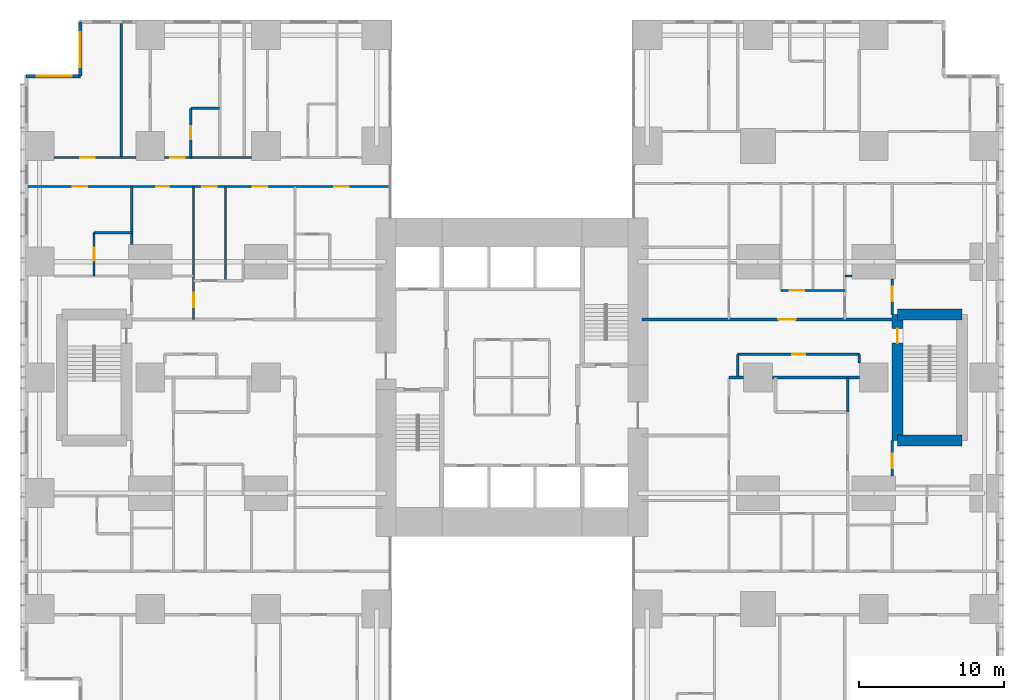
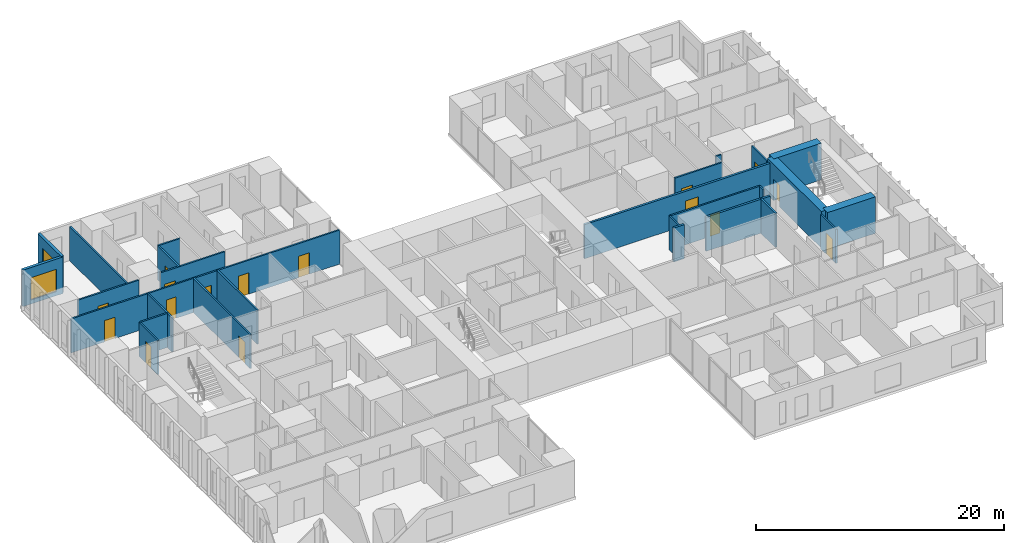
# One storey, part 16 of 20: 27 walls, 16 doors, 2 windows, 18 openings.
"""IFC4 building model written with IfcOpenShell, lengths in metres."""

from ifc_helpers import new_model, si_unit, direction, frame, frame_2d, origin, place, context, subcontext, project, spatial, rectangle, extrude, material, layer, layer_set, type_object, element, fill, save


model = new_model("IFC4")

# Units and contexts
model_context = context("Model", 3, precision=1e-05, world=origin(), true_north=direction((0.0, 1.0)))
body_context = subcontext(model_context, "Body", "Model", "MODEL_VIEW")
ifc_project = project(units=[si_unit("LENGTHUNIT", "METRE"), si_unit("AREAUNIT", "SQUARE_METRE"), si_unit("VOLUMEUNIT", "CUBIC_METRE"), si_unit("PLANEANGLEUNIT", "RADIAN"), si_unit("MASSUNIT", "GRAM", prefix="KILO")], contexts=[model_context])

# Site, building, storey
site_placement = place(None, origin())
site = spatial("IfcSite", under=ifc_project, at=site_placement, CompositionType="ELEMENT")
building_placement = place(site_placement, origin())
building = spatial("IfcBuilding", under=site, at=building_placement, Name="Cleftline Residences", CompositionType="ELEMENT")
storey_placement = place(building_placement, frame((0.0, 0.0, 110.60009765625)))
storey = spatial("IfcBuildingStorey", under=building, at=storey_placement, Name="L28", CompositionType="ELEMENT", Elevation=110.60009765625)

# Wall, opening, window
ifc_material_1 = material(Name="Rendered reinforced concrete blockwork", Category="masonry")
ifc_layer_1 = layer(ifc_material_1, 0.25)
ifc_layer_set_1 = layer_set([ifc_layer_1], Name="EXTERNAL WALL 250")
wall_type_1 = type_object("IfcWallType", Name="EXTERNAL WALL 250", PredefinedType="SOLIDWALL", material=ifc_layer_set_1)
wall_1_placement = place(storey_placement, frame((3.175048828125, 48.574951171875, 0.0), z_axis=(0.0, 0.0, 1.0), x_axis=(0.0, -1.0, 0.0)))
wall_1 = element("IfcWall", 1, at=wall_1_placement, inside=storey, type_object=wall_type_1, Name="External wall", PredefinedType="SOLIDWALL", context=body_context, shape_type="SweptSolid", body=[
    extrude(rectangle(XDim=3.75, YDim=0.25, at=frame_2d((1.875, 0.0))), origin(), (0.0, 0.0, 1.0), 3.599853515625),
])
opening_1_placement = place(wall_1_placement, frame((0.737548828125, 0.0, 0.39990234375)))
opening_1 = element("IfcOpeningElement", 2, at=opening_1_placement, cuts=wall_1, Name="Opening W12", PredefinedType="OPENING", context=body_context, shape_type="SweptSolid", body=[
    extrude(rectangle(XDim=2.39990234375, YDim=2.199951171875, at=frame_2d((1.199951171875, 1.10009765625))), frame((0.0, 0.135009765625, 0.0), z_axis=(0.0, -1.0, 0.0), x_axis=(1.0, 0.0, 0.0)), (0.0, 0.0, 1.0), 0.27001953125),
])
ifc_material_2 = material(Name="Aluminium frame, clear double glazing", Category="aluminium")
window_type = type_object("IfcWindowType", Name="WINDOW 2400X2200", PartitioningType="DOUBLE_PANEL_VERTICAL", PredefinedType="WINDOW", material=ifc_material_2)
window_1_placement = place(opening_1_placement, origin())
window_1 = element("IfcWindow", 3, at=window_1_placement, inside=storey, type_object=window_type, Name="Window", OverallHeight=2.199951171875, OverallWidth=2.39990234375, PartitioningType="SINGLE_PANEL", PredefinedType="WINDOW", context=body_context, shape_type="SweptSolid", body=[
    extrude(rectangle(XDim=2.39990234375, YDim=2.199951171875, at=frame_2d((1.199951171875, 1.10009765625))), frame((0.0, 0.030029296875, 0.0), z_axis=(0.0, -1.0, 0.0), x_axis=(1.0, 0.0, 0.0)), (0.0, 0.0, 1.0), 0.06005859375),
])
fill(opening_1, window_1)

wall_2_placement = place(storey_placement, frame((3.175048828125, 44.824951171875, 0.0), z_axis=(0.0, 0.0, 1.0), x_axis=(-1.0, 0.0, 0.0)))
wall_2 = element("IfcWall", 4, at=wall_2_placement, inside=storey, type_object=wall_type_1, Name="External wall", PredefinedType="SOLIDWALL", context=body_context, shape_type="SweptSolid", body=[
    extrude(rectangle(XDim=3.75, YDim=0.25, at=frame_2d((1.875, 0.0))), origin(), (0.0, 0.0, 1.0), 3.599853515625),
])
opening_2_placement = place(wall_2_placement, frame((0.612548828125, 0.0, 0.39990234375)))
opening_2 = element("IfcOpeningElement", 5, at=opening_2_placement, cuts=wall_2, Name="Opening W12", PredefinedType="OPENING", context=body_context, shape_type="SweptSolid", body=[
    extrude(rectangle(XDim=2.39990234375, YDim=2.199951171875, at=frame_2d((1.199951171875, 1.10009765625))), frame((0.0, 0.135009765625, 0.0), z_axis=(0.0, -1.0, 0.0), x_axis=(1.0, 0.0, 0.0)), (0.0, 0.0, 1.0), 0.27001953125),
])
window_2_placement = place(opening_2_placement, origin())
window_2 = element("IfcWindow", 6, at=window_2_placement, inside=storey, type_object=window_type, Name="Window", OverallHeight=2.199951171875, OverallWidth=2.39990234375, PartitioningType="SINGLE_PANEL", PredefinedType="WINDOW", context=body_context, shape_type="SweptSolid", body=[
    extrude(rectangle(XDim=2.39990234375, YDim=2.199951171875, at=frame_2d((1.199951171875, 1.10009765625))), frame((0.0, 0.030029296875, 0.0), z_axis=(0.0, -1.0, 0.0), x_axis=(1.0, 0.0, 0.0)), (0.0, 0.0, 1.0), 0.06005859375),
])
fill(opening_2, window_2)

# Walls
ifc_material_3 = material(Name="Concrete blockwork, fire rated", Category="masonry")
ifc_layer_2 = layer(ifc_material_3, 0.199951171875)
ifc_layer_set_2 = layer_set([ifc_layer_2], Name="FIRE WALL 200")
wall_type_2 = type_object("IfcWallType", Name="FIRE WALL 200", PredefinedType="PARTITIONING", material=ifc_layer_set_2)
wall_3_placement = place(storey_placement, frame((48.0, 24.0, 0.0), z_axis=(0.0, 0.0, 1.0), x_axis=(1.0, 0.0, 0.0)))
element("IfcWall", 7, at=wall_3_placement, inside=storey, type_object=wall_type_2, Name="Fire separating wall", PredefinedType="PARTITIONING", context=body_context, shape_type="SweptSolid", body=[
    extrude(rectangle(XDim=1.0, YDim=0.199951171875, at=frame_2d((0.5, 0.0))), origin(), (0.0, 0.0, 1.0), 3.349853515625),
])
wall_4_placement = place(storey_placement, frame((51.0, 24.0, 0.0), z_axis=(0.0, 0.0, 1.0), x_axis=(1.0, 0.0, 0.0)))
element("IfcWall", 8, at=wall_4_placement, inside=storey, type_object=wall_type_2, Name="Fire separating wall", PredefinedType="PARTITIONING", context=body_context, shape_type="SweptSolid", body=[
    extrude(rectangle(XDim=6.0, YDim=0.199951171875, at=frame_2d((3.0, 0.0))), origin(), (0.0, 0.0, 1.0), 3.349853515625),
])

# Wall, opening, door
wall_5_placement = place(storey_placement, frame((42.0, 28.0, 0.0), z_axis=(0.0, 0.0, 1.0), x_axis=(1.0, 0.0, 0.0)))
wall_5 = element("IfcWall", 9, at=wall_5_placement, inside=storey, type_object=wall_type_2, Name="Fire separating wall", PredefinedType="PARTITIONING", context=body_context, shape_type="SweptSolid", body=[
    extrude(rectangle(XDim=17.27490234375, YDim=0.199951171875, at=frame_2d((8.637451171875, 0.0))), origin(), (0.0, 0.0, 1.0), 3.349853515625),
])
opening_3_placement = place(wall_5_placement, frame((9.39990234375, 0.0, 0.0)))
opening_3 = element("IfcOpeningElement", 10, at=opening_3_placement, cuts=wall_5, Name="Opening D4", PredefinedType="OPENING", context=body_context, shape_type="SweptSolid", body=[
    extrude(rectangle(XDim=1.199951171875, YDim=2.39990234375, at=frame_2d((0.60009765625, 1.199951171875))), frame((0.0, 0.10986328125, 0.0), z_axis=(0.0, -1.0, 0.0), x_axis=(1.0, 0.0, 0.0)), (0.0, 0.0, 1.0), 0.219970703125),
])
ifc_material_4 = material(Name="Timber veneer on solid core", Category="wood")
door_type_1 = type_object("IfcDoorType", Name="APARTMENT ENTRANCE DOOR 1200X2400", OperationType="SINGLE_SWING_RIGHT", PredefinedType="DOOR", material=ifc_material_4)
door_1_placement = place(opening_3_placement, origin())
door_1 = element("IfcDoor", 11, at=door_1_placement, inside=storey, type_object=door_type_1, Name="Door to residence entrance foyer", OperationType="SINGLE_SWING_LEFT", OverallHeight=2.39990234375, OverallWidth=1.199951171875, PredefinedType="DOOR", context=body_context, shape_type="SweptSolid", body=[
    extrude(rectangle(XDim=1.199951171875, YDim=2.39990234375, at=frame_2d((0.60009765625, 1.199951171875))), frame((0.0, 0.02490234375, 0.0), z_axis=(0.0, -1.0, 0.0), x_axis=(1.0, 0.0, 0.0)), (0.0, 0.0, 1.0), 0.050048828125),
])
fill(opening_3, door_1)

# Wall
wall_6_placement = place(storey_placement, frame((56.199951171875, 21.60009765625, 0.0), z_axis=(0.0, 0.0, 1.0), x_axis=(0.0, 1.0, 0.0)))
element("IfcWall", 12, at=wall_6_placement, inside=storey, type_object=wall_type_2, Name="Fire separating wall", PredefinedType="PARTITIONING", context=body_context, shape_type="SweptSolid", body=[
    extrude(rectangle(XDim=2.39990234375, YDim=0.199951171875, at=frame_2d((1.199951171875, 0.0))), origin(), (0.0, 0.0, 1.0), 3.349853515625),
])

# Wall, opening, door
ifc_material_5 = material(Name="Gypsum board on steel studs", Category="steel")
ifc_layer_3 = layer(ifc_material_5, 0.14990234375)
ifc_layer_set_3 = layer_set([ifc_layer_3], Name="PARTITION 150")
wall_type_3 = type_object("IfcWallType", Name="PARTITION 150", PredefinedType="PARTITIONING", material=ifc_layer_set_3)
wall_7_placement = place(storey_placement, frame((48.60009765625, 25.60009765625, 0.0), z_axis=(0.0, 0.0, 1.0), x_axis=(1.0, 0.0, 0.0)))
wall_7 = element("IfcWall", 13, at=wall_7_placement, inside=storey, type_object=wall_type_3, Name="Partition", PredefinedType="PARTITIONING", context=body_context, shape_type="SweptSolid", body=[
    extrude(rectangle(XDim=8.39990234375, YDim=0.14990234375, at=frame_2d((4.199951171875, 0.0))), origin(), (0.0, 0.0, 1.0), 3.349853515625),
])
opening_4_placement = place(wall_7_placement, frame((3.75, 0.0, 0.0)))
opening_4 = element("IfcOpeningElement", 14, at=opening_4_placement, cuts=wall_7, Name="Opening D1", PredefinedType="OPENING", context=body_context, shape_type="SweptSolid", body=[
    extrude(rectangle(XDim=0.89990234375, YDim=2.10009765625, at=frame_2d((0.449951171875, 1.050048828125))), frame((0.0, 0.0849609375, 0.0), z_axis=(0.0, -1.0, 0.0), x_axis=(1.0, 0.0, 0.0)), (0.0, 0.0, 1.0), 0.169921875),
])
ifc_material_6 = material(Name="Timber veneer on solid core", Category="wood")
door_type_2 = type_object("IfcDoorType", Name="DOOR 900X2100", OperationType="SINGLE_SWING_LEFT", PredefinedType="DOOR", material=ifc_material_6)
door_2_placement = place(opening_4_placement, origin())
door_2 = element("IfcDoor", 15, at=door_2_placement, inside=storey, type_object=door_type_2, Name="Door to residents' locker room", OperationType="SINGLE_SWING_LEFT", OverallHeight=2.10009765625, OverallWidth=0.89990234375, PredefinedType="DOOR", context=body_context, shape_type="SweptSolid", body=[
    extrude(rectangle(XDim=0.89990234375, YDim=2.10009765625, at=frame_2d((0.449951171875, 1.050048828125))), frame((0.0, 0.02490234375, 0.0), z_axis=(0.0, -1.0, 0.0), x_axis=(1.0, 0.0, 0.0)), (0.0, 0.0, 1.0), 0.050048828125),
])
fill(opening_4, door_2)

wall_8_placement = place(storey_placement, frame((51.60009765625, 30.0, 0.0), z_axis=(0.0, 0.0, 1.0), x_axis=(1.0, 0.0, 0.0)))
wall_8 = element("IfcWall", 16, at=wall_8_placement, inside=storey, type_object=wall_type_3, Name="Partition", PredefinedType="PARTITIONING", context=body_context, shape_type="SweptSolid", body=[
    extrude(rectangle(XDim=4.39990234375, YDim=0.14990234375, at=frame_2d((2.199951171875, 0.0))), origin(), (0.0, 0.0, 1.0), 3.349853515625),
])
opening_5_placement = place(wall_8_placement, frame((0.60009765625, 0.0, 0.0)))
opening_5 = element("IfcOpeningElement", 17, at=opening_5_placement, cuts=wall_8, Name="Opening D2", PredefinedType="OPENING", context=body_context, shape_type="SweptSolid", body=[
    extrude(rectangle(XDim=1.0, YDim=2.10009765625, at=frame_2d((0.5, 1.050048828125))), frame((0.0, 0.0849609375, 0.0), z_axis=(0.0, -1.0, 0.0), x_axis=(1.0, 0.0, 0.0)), (0.0, 0.0, 1.0), 0.169921875),
])
ifc_material_7 = material(Name="Timber veneer on solid core", Category="wood")
door_type_3 = type_object("IfcDoorType", Name="DOOR 1000X2100", OperationType="SINGLE_SWING_LEFT", PredefinedType="DOOR", material=ifc_material_7)
door_3_placement = place(opening_5_placement, origin())
door_3 = element("IfcDoor", 18, at=door_3_placement, inside=storey, type_object=door_type_3, Name="Door to residence passage", OperationType="SINGLE_SWING_RIGHT", OverallHeight=2.10009765625, OverallWidth=1.0, PredefinedType="DOOR", context=body_context, shape_type="SweptSolid", body=[
    extrude(rectangle(XDim=1.0, YDim=2.10009765625, at=frame_2d((0.5, 1.050048828125))), frame((0.0, 0.02490234375, 0.0), z_axis=(0.0, -1.0, 0.0), x_axis=(1.0, 0.0, 0.0)), (0.0, 0.0, 1.0), 0.050048828125),
])
fill(opening_5, door_3)

# Walls
wall_9_placement = place(storey_placement, frame((56.0, 31.0, 0.0), z_axis=(0.0, 0.0, 1.0), x_axis=(1.0, 0.0, 0.0)))
element("IfcWall", 19, at=wall_9_placement, inside=storey, type_object=wall_type_3, Name="Partition", PredefinedType="PARTITIONING", context=body_context, shape_type="SweptSolid", body=[
    extrude(rectangle(XDim=0.5, YDim=0.14990234375, at=frame_2d((0.25, 0.0))), origin(), (0.0, 0.0, 1.0), 3.349853515625),
])
wall_10_placement = place(storey_placement, frame((4.125, 34.0, 0.0), z_axis=(0.0, 0.0, 1.0), x_axis=(1.0, 0.0, 0.0)))
element("IfcWall", 20, at=wall_10_placement, inside=storey, type_object=wall_type_3, Name="Partition", PredefinedType="PARTITIONING", context=body_context, shape_type="SweptSolid", body=[
    extrude(rectangle(XDim=2.60009765625, YDim=0.14990234375, at=frame_2d((1.300048828125, 0.0))), origin(), (0.0, 0.0, 1.0), 3.349853515625),
])

# Wall, openings, doors
wall_11_placement = place(storey_placement, frame((-0.449951171875, 37.199951171875, 0.0), z_axis=(0.0, 0.0, 1.0), x_axis=(1.0, 0.0, 0.0)))
wall_11 = element("IfcWall", 21, at=wall_11_placement, inside=storey, type_object=wall_type_3, Name="Partition", PredefinedType="PARTITIONING", context=body_context, shape_type="SweptSolid", body=[
    extrude(rectangle(XDim=25.010986328125, YDim=0.14990234375, at=frame_2d((12.50537109375, 0.0))), origin(), (0.0, 0.0, 1.0), 3.349853515625),
])
opening_6_placement = place(wall_11_placement, frame((12.050048828125, 0.0, 0.0)))
opening_6 = element("IfcOpeningElement", 22, at=opening_6_placement, cuts=wall_11, Name="Opening D2F30", PredefinedType="OPENING", context=body_context, shape_type="SweptSolid", body=[
    extrude(rectangle(XDim=1.0, YDim=2.10009765625, at=frame_2d((0.5, 1.050048828125))), frame((0.0, 0.0849609375, 0.0), z_axis=(0.0, -1.0, 0.0), x_axis=(1.0, 0.0, 0.0)), (0.0, 0.0, 1.0), 0.169921875),
])
opening_7_placement = place(wall_11_placement, frame((3.08740234375, 0.0, 0.0)))
opening_7 = element("IfcOpeningElement", 23, at=opening_7_placement, cuts=wall_11, Name="Opening D2F30", PredefinedType="OPENING", context=body_context, shape_type="SweptSolid", body=[
    extrude(rectangle(XDim=1.0, YDim=2.10009765625, at=frame_2d((0.5, 1.050048828125))), frame((0.0, 0.0849609375, 0.0), z_axis=(0.0, -1.0, 0.0), x_axis=(1.0, 0.0, 0.0)), (0.0, 0.0, 1.0), 0.169921875),
])
opening_8_placement = place(wall_11_placement, frame((8.862548828125, 0.0, 0.0)))
opening_8 = element("IfcOpeningElement", 24, at=opening_8_placement, cuts=wall_11, Name="Opening D1F30", PredefinedType="OPENING", context=body_context, shape_type="SweptSolid", body=[
    extrude(rectangle(XDim=0.89990234375, YDim=2.10009765625, at=frame_2d((0.449951171875, 1.050048828125))), frame((0.0, 0.0849609375, 0.0), z_axis=(0.0, -1.0, 0.0), x_axis=(1.0, 0.0, 0.0)), (0.0, 0.0, 1.0), 0.169921875),
])
opening_9_placement = place(wall_11_placement, frame((15.550048828125, 0.0, 0.0)))
opening_9 = element("IfcOpeningElement", 25, at=opening_9_placement, cuts=wall_11, Name="Opening D2F30", PredefinedType="OPENING", context=body_context, shape_type="SweptSolid", body=[
    extrude(rectangle(XDim=1.0, YDim=2.10009765625, at=frame_2d((0.5, 1.050048828125))), frame((0.0, 0.0849609375, 0.0), z_axis=(0.0, -1.0, 0.0), x_axis=(1.0, 0.0, 0.0)), (0.0, 0.0, 1.0), 0.169921875),
])
opening_10_placement = place(wall_11_placement, frame((21.175048828125, 0.0, 0.0)))
opening_10 = element("IfcOpeningElement", 26, at=opening_10_placement, cuts=wall_11, Name="Opening D2F30", PredefinedType="OPENING", context=body_context, shape_type="SweptSolid", body=[
    extrude(rectangle(XDim=1.0, YDim=2.10009765625, at=frame_2d((0.5, 1.050048828125))), frame((0.0, 0.0849609375, 0.0), z_axis=(0.0, -1.0, 0.0), x_axis=(1.0, 0.0, 0.0)), (0.0, 0.0, 1.0), 0.169921875),
])
ifc_material_8 = material(Name="Timber veneer on solid core", Category="wood")
door_type_4 = type_object("IfcDoorType", Name="DOOR 1000X2100 EI 30", OperationType="SINGLE_SWING_LEFT", PredefinedType="DOOR", material=ifc_material_8)
door_4_placement = place(opening_6_placement, origin())
door_4 = element("IfcDoor", 27, at=door_4_placement, inside=storey, type_object=door_type_4, Name="Door to residence corridor (bedrooms)", OperationType="SINGLE_SWING_LEFT", OverallHeight=2.10009765625, OverallWidth=1.0, PredefinedType="DOOR", context=body_context, shape_type="SweptSolid", body=[
    extrude(rectangle(XDim=1.0, YDim=2.10009765625, at=frame_2d((0.5, 1.050048828125))), frame((0.0, 0.02490234375, 0.0), z_axis=(0.0, -1.0, 0.0), x_axis=(1.0, 0.0, 0.0)), (0.0, 0.0, 1.0), 0.050048828125),
])
fill(opening_6, door_4)
door_5_placement = place(opening_7_placement, origin())
door_5 = element("IfcDoor", 28, at=door_5_placement, inside=storey, type_object=door_type_4, Name="Door to master bedroom", OperationType="SINGLE_SWING_RIGHT", OverallHeight=2.10009765625, OverallWidth=1.0, PredefinedType="DOOR", context=body_context, shape_type="SweptSolid", body=[
    extrude(rectangle(XDim=1.0, YDim=2.10009765625, at=frame_2d((0.5, 1.050048828125))), frame((0.0, 0.02490234375, 0.0), z_axis=(0.0, -1.0, 0.0), x_axis=(1.0, 0.0, 0.0)), (0.0, 0.0, 1.0), 0.050048828125),
])
fill(opening_7, door_5)
door_6_placement = place(opening_9_placement, origin())
door_6 = element("IfcDoor", 29, at=door_6_placement, inside=storey, type_object=door_type_4, Name="Door to family room", OperationType="SINGLE_SWING_LEFT", OverallHeight=2.10009765625, OverallWidth=1.0, PredefinedType="DOOR", context=body_context, shape_type="SweptSolid", body=[
    extrude(rectangle(XDim=1.0, YDim=2.10009765625, at=frame_2d((0.5, 1.050048828125))), frame((0.0, 0.02490234375, 0.0), z_axis=(0.0, -1.0, 0.0), x_axis=(1.0, 0.0, 0.0)), (0.0, 0.0, 1.0), 0.050048828125),
])
fill(opening_9, door_6)
door_7_placement = place(opening_10_placement, origin())
door_7 = element("IfcDoor", 30, at=door_7_placement, inside=storey, type_object=door_type_4, Name="Door to staff bedroom", OperationType="SINGLE_SWING_LEFT", OverallHeight=2.10009765625, OverallWidth=1.0, PredefinedType="DOOR", context=body_context, shape_type="SweptSolid", body=[
    extrude(rectangle(XDim=1.0, YDim=2.10009765625, at=frame_2d((0.5, 1.050048828125))), frame((0.0, 0.02490234375, 0.0), z_axis=(0.0, -1.0, 0.0), x_axis=(1.0, 0.0, 0.0)), (0.0, 0.0, 1.0), 0.050048828125),
])
fill(opening_10, door_7)
ifc_material_9 = material(Name="Timber veneer on solid core", Category="wood")
door_type_5 = type_object("IfcDoorType", Name="DOOR 900X2100 EI 30", OperationType="SINGLE_SWING_LEFT", PredefinedType="DOOR", material=ifc_material_9)
door_8_placement = place(opening_8_placement, origin())
door_8 = element("IfcDoor", 31, at=door_8_placement, inside=storey, type_object=door_type_5, Name="Door to guest bathroom", OperationType="SINGLE_SWING_RIGHT", OverallHeight=2.10009765625, OverallWidth=0.89990234375, PredefinedType="DOOR", context=body_context, shape_type="SweptSolid", body=[
    extrude(rectangle(XDim=0.89990234375, YDim=2.10009765625, at=frame_2d((0.449951171875, 1.050048828125))), frame((0.0, 0.02490234375, 0.0), z_axis=(0.0, -1.0, 0.0), x_axis=(1.0, 0.0, 0.0)), (0.0, 0.0, 1.0), 0.050048828125),
])
fill(opening_8, door_8)

# Wall, opening, door
wall_12_placement = place(storey_placement, frame((1.35009765625, 39.199951171875, 0.0), z_axis=(0.0, 0.0, 1.0), x_axis=(1.0, 0.0, 0.0)))
wall_12 = element("IfcWall", 32, at=wall_12_placement, inside=storey, type_object=wall_type_3, Name="Partition", PredefinedType="PARTITIONING", context=body_context, shape_type="SweptSolid", body=[
    extrude(rectangle(XDim=5.64990234375, YDim=0.14990234375, at=frame_2d((2.824951171875, 0.0))), origin(), (0.0, 0.0, 1.0), 3.349853515625),
])
opening_11_placement = place(wall_12_placement, frame((1.824951171875, 0.0, 0.0)))
opening_11 = element("IfcOpeningElement", 33, at=opening_11_placement, cuts=wall_12, Name="Opening D2", PredefinedType="OPENING", context=body_context, shape_type="SweptSolid", body=[
    extrude(rectangle(XDim=1.0, YDim=2.10009765625, at=frame_2d((0.5, 1.050048828125))), frame((0.0, 0.0849609375, 0.0), z_axis=(0.0, -1.0, 0.0), x_axis=(1.0, 0.0, 0.0)), (0.0, 0.0, 1.0), 0.169921875),
])
door_9_placement = place(opening_11_placement, origin())
door_9 = element("IfcDoor", 34, at=door_9_placement, inside=storey, type_object=door_type_3, Name="Door to gym", OperationType="SINGLE_SWING_RIGHT", OverallHeight=2.10009765625, OverallWidth=1.0, PredefinedType="DOOR", context=body_context, shape_type="SweptSolid", body=[
    extrude(rectangle(XDim=1.0, YDim=2.10009765625, at=frame_2d((0.5, 1.050048828125))), frame((0.0, 0.02490234375, 0.0), z_axis=(0.0, -1.0, 0.0), x_axis=(1.0, 0.0, 0.0)), (0.0, 0.0, 1.0), 0.050048828125),
])
fill(opening_11, door_9)

wall_13_placement = place(storey_placement, frame((9.0, 39.199951171875, 0.0), z_axis=(0.0, 0.0, 1.0), x_axis=(1.0, 0.0, 0.0)))
wall_13 = element("IfcWall", 35, at=wall_13_placement, inside=storey, type_object=wall_type_3, Name="Partition", PredefinedType="PARTITIONING", context=body_context, shape_type="SweptSolid", body=[
    extrude(rectangle(XDim=6.0, YDim=0.14990234375, at=frame_2d((3.0, 0.0))), origin(), (0.0, 0.0, 1.0), 3.349853515625),
])
opening_12_placement = place(wall_13_placement, frame((0.39990234375, 0.0, 0.0)))
opening_12 = element("IfcOpeningElement", 36, at=opening_12_placement, cuts=wall_13, Name="Opening D2", PredefinedType="OPENING", context=body_context, shape_type="SweptSolid", body=[
    extrude(rectangle(XDim=1.0, YDim=2.10009765625, at=frame_2d((0.5, 1.050048828125))), frame((0.0, 0.0849609375, 0.0), z_axis=(0.0, -1.0, 0.0), x_axis=(1.0, 0.0, 0.0)), (0.0, 0.0, 1.0), 0.169921875),
])
door_10_placement = place(opening_12_placement, origin())
door_10 = element("IfcDoor", 37, at=door_10_placement, inside=storey, type_object=door_type_3, Name="Door to bedroom 2", OperationType="SINGLE_SWING_RIGHT", OverallHeight=2.10009765625, OverallWidth=1.0, PredefinedType="DOOR", context=body_context, shape_type="SweptSolid", body=[
    extrude(rectangle(XDim=1.0, YDim=2.10009765625, at=frame_2d((0.5, 1.050048828125))), frame((0.0, 0.02490234375, 0.0), z_axis=(0.0, -1.0, 0.0), x_axis=(1.0, 0.0, 0.0)), (0.0, 0.0, 1.0), 0.050048828125),
])
fill(opening_12, door_10)

# Wall
wall_14_placement = place(storey_placement, frame((10.800048828125, 42.60009765625, 0.0), z_axis=(0.0, 0.0, 1.0), x_axis=(1.0, 0.0, 0.0)))
element("IfcWall", 38, at=wall_14_placement, inside=storey, type_object=wall_type_3, Name="Partition", PredefinedType="PARTITIONING", context=body_context, shape_type="SweptSolid", body=[
    extrude(rectangle(XDim=2.0, YDim=0.14990234375, at=frame_2d((1.0, 0.0))), origin(), (0.0, 0.0, 1.0), 3.349853515625),
])

# Wall, opening, door
wall_15_placement = place(storey_placement, frame((4.125, 31.0, 0.0), z_axis=(0.0, 0.0, 1.0), x_axis=(0.0, 1.0, 0.0)))
wall_15 = element("IfcWall", 39, at=wall_15_placement, inside=storey, type_object=wall_type_3, Name="Partition", PredefinedType="PARTITIONING", context=body_context, shape_type="SweptSolid", body=[
    extrude(rectangle(XDim=3.0, YDim=0.14990234375, at=frame_2d((1.5, 0.0))), origin(), (0.0, 0.0, 1.0), 3.349853515625),
])
opening_13_placement = place(wall_15_placement, frame((1.050048828125, 0.0, 0.0)))
opening_13 = element("IfcOpeningElement", 40, at=opening_13_placement, cuts=wall_15, Name="Opening D1", PredefinedType="OPENING", context=body_context, shape_type="SweptSolid", body=[
    extrude(rectangle(XDim=0.89990234375, YDim=2.10009765625, at=frame_2d((0.449951171875, 1.050048828125))), frame((0.0, 0.0849609375, 0.0), z_axis=(0.0, -1.0, 0.0), x_axis=(1.0, 0.0, 0.0)), (0.0, 0.0, 1.0), 0.169921875),
])
door_11_placement = place(opening_13_placement, origin())
door_11 = element("IfcDoor", 41, at=door_11_placement, inside=storey, type_object=door_type_2, Name="Door to master bathroom", OperationType="SINGLE_SWING_LEFT", OverallHeight=2.10009765625, OverallWidth=0.89990234375, PredefinedType="DOOR", context=body_context, shape_type="SweptSolid", body=[
    extrude(rectangle(XDim=0.89990234375, YDim=2.10009765625, at=frame_2d((0.449951171875, 1.050048828125))), frame((0.0, 0.02490234375, 0.0), z_axis=(0.0, -1.0, 0.0), x_axis=(1.0, 0.0, 0.0)), (0.0, 0.0, 1.0), 0.050048828125),
])
fill(opening_13, door_11)

# Walls
wall_16_placement = place(storey_placement, frame((6.0, 39.199951171875, 0.0), z_axis=(0.0, 0.0, 1.0), x_axis=(0.0, 1.0, 0.0)))
element("IfcWall", 42, at=wall_16_placement, inside=storey, type_object=wall_type_3, Name="Partition", PredefinedType="PARTITIONING", context=body_context, shape_type="SweptSolid", body=[
    extrude(rectangle(XDim=9.25, YDim=0.14990234375, at=frame_2d((4.625, 0.0))), origin(), (0.0, 0.0, 1.0), 3.349853515625),
])
wall_17_placement = place(storey_placement, frame((6.72509765625, 33.199951171875, 0.0), z_axis=(0.0, 0.0, 1.0), x_axis=(0.0, 1.0, 0.0)))
element("IfcWall", 43, at=wall_17_placement, inside=storey, type_object=wall_type_3, Name="Partition", PredefinedType="PARTITIONING", context=body_context, shape_type="SweptSolid", body=[
    extrude(rectangle(XDim=4.0, YDim=0.14990234375, at=frame_2d((2.0, 0.0))), origin(), (0.0, 0.0, 1.0), 3.349853515625),
])

# Wall, opening, door
wall_18_placement = place(storey_placement, frame((10.800048828125, 39.199951171875, 0.0), z_axis=(0.0, 0.0, 1.0), x_axis=(0.0, 1.0, 0.0)))
wall_18 = element("IfcWall", 44, at=wall_18_placement, inside=storey, type_object=wall_type_3, Name="Partition", PredefinedType="PARTITIONING", context=body_context, shape_type="SweptSolid", body=[
    extrude(rectangle(XDim=3.400146484375, YDim=0.14990234375, at=frame_2d((1.7001953125, 0.0))), origin(), (0.0, 0.0, 1.0), 3.349853515625),
])
opening_14_placement = place(wall_18_placement, frame((1.25, 0.0, 0.0)))
opening_14 = element("IfcOpeningElement", 45, at=opening_14_placement, cuts=wall_18, Name="Opening D1", PredefinedType="OPENING", context=body_context, shape_type="SweptSolid", body=[
    extrude(rectangle(XDim=0.89990234375, YDim=2.10009765625, at=frame_2d((0.449951171875, 1.050048828125))), frame((0.0, 0.0849609375, 0.0), z_axis=(0.0, -1.0, 0.0), x_axis=(1.0, 0.0, 0.0)), (0.0, 0.0, 1.0), 0.169921875),
])
door_12_placement = place(opening_14_placement, origin())
door_12 = element("IfcDoor", 46, at=door_12_placement, inside=storey, type_object=door_type_2, Name="Door to en-suite bathroom 2", OperationType="SINGLE_SWING_LEFT", OverallHeight=2.10009765625, OverallWidth=0.89990234375, PredefinedType="DOOR", context=body_context, shape_type="SweptSolid", body=[
    extrude(rectangle(XDim=0.89990234375, YDim=2.10009765625, at=frame_2d((0.449951171875, 1.050048828125))), frame((0.0, 0.02490234375, 0.0), z_axis=(0.0, -1.0, 0.0), x_axis=(1.0, 0.0, 0.0)), (0.0, 0.0, 1.0), 0.050048828125),
])
fill(opening_14, door_12)

wall_19_placement = place(storey_placement, frame((11.0, 28.0, 0.0), z_axis=(0.0, 0.0, 1.0), x_axis=(0.0, 1.0, 0.0)))
wall_19 = element("IfcWall", 47, at=wall_19_placement, inside=storey, type_object=wall_type_3, Name="Partition", PredefinedType="PARTITIONING", context=body_context, shape_type="SweptSolid", body=[
    extrude(rectangle(XDim=9.199951171875, YDim=0.14990234375, at=frame_2d((4.60009765625, 0.0))), origin(), (0.0, 0.0, 1.0), 3.349853515625),
])
opening_15_placement = place(wall_19_placement, frame((0.83740234375, 0.0, 0.0)))
opening_15 = element("IfcOpeningElement", 48, at=opening_15_placement, cuts=wall_19, Name="Opening D2F30", PredefinedType="OPENING", context=body_context, shape_type="SweptSolid", body=[
    extrude(rectangle(XDim=1.0, YDim=2.10009765625, at=frame_2d((0.5, 1.050048828125))), frame((0.0, 0.0849609375, 0.0), z_axis=(0.0, -1.0, 0.0), x_axis=(1.0, 0.0, 0.0)), (0.0, 0.0, 1.0), 0.169921875),
])
door_13_placement = place(opening_15_placement, origin())
door_13 = element("IfcDoor", 49, at=door_13_placement, inside=storey, type_object=door_type_4, Name="Door to residence lobby (service)", OperationType="SINGLE_SWING_RIGHT", OverallHeight=2.10009765625, OverallWidth=1.0, PredefinedType="DOOR", context=body_context, shape_type="SweptSolid", body=[
    extrude(rectangle(XDim=1.0, YDim=2.10009765625, at=frame_2d((0.5, 1.050048828125))), frame((0.0, 0.02490234375, 0.0), z_axis=(0.0, -1.0, 0.0), x_axis=(1.0, 0.0, 0.0)), (0.0, 0.0, 1.0), 0.050048828125),
])
fill(opening_15, door_13)

# Walls
wall_20_placement = place(storey_placement, frame((13.199951171875, 30.675048828125, 0.0), z_axis=(0.0, 0.0, 1.0), x_axis=(0.0, 1.0, 0.0)))
element("IfcWall", 50, at=wall_20_placement, inside=storey, type_object=wall_type_3, Name="Partition", PredefinedType="PARTITIONING", context=body_context, shape_type="SweptSolid", body=[
    extrude(rectangle(XDim=6.52490234375, YDim=0.14990234375, at=frame_2d((3.262451171875, 0.0))), origin(), (0.0, 0.0, 1.0), 3.349853515625),
])
wall_21_placement = place(storey_placement, frame((48.60009765625, 24.0, 0.0), z_axis=(0.0, 0.0, 1.0), x_axis=(0.0, 1.0, 0.0)))
element("IfcWall", 51, at=wall_21_placement, inside=storey, type_object=wall_type_3, Name="Partition", PredefinedType="PARTITIONING", context=body_context, shape_type="SweptSolid", body=[
    extrude(rectangle(XDim=1.60009765625, YDim=0.14990234375, at=frame_2d((0.800048828125, 0.0))), origin(), (0.0, 0.0, 1.0), 3.349853515625),
])
wall_22_placement = place(storey_placement, frame((57.0, 25.0, 0.0), z_axis=(0.0, 0.0, 1.0), x_axis=(0.0, 1.0, 0.0)))
element("IfcWall", 52, at=wall_22_placement, inside=storey, type_object=wall_type_3, Name="Partition", PredefinedType="PARTITIONING", context=body_context, shape_type="SweptSolid", body=[
    extrude(rectangle(XDim=0.60009765625, YDim=0.14990234375, at=frame_2d((0.300048828125, 0.0))), origin(), (0.0, 0.0, 1.0), 3.349853515625),
])

# Wall, opening, door
wall_23_placement = place(storey_placement, frame((59.27490234375, 17.199951171875, 0.0), z_axis=(0.0, 0.0, 1.0), x_axis=(0.0, 1.0, 0.0)))
wall_23 = element("IfcWall", 53, at=wall_23_placement, inside=storey, type_object=wall_type_3, Name="Partition", PredefinedType="PARTITIONING", context=body_context, shape_type="SweptSolid", body=[
    extrude(rectangle(XDim=2.449951171875, YDim=0.14990234375, at=frame_2d((1.22509765625, 0.0))), origin(), (0.0, 0.0, 1.0), 3.349853515625),
])
opening_16_placement = place(wall_23_placement, frame((0.53759765625, 0.0, 0.0)))
opening_16 = element("IfcOpeningElement", 54, at=opening_16_placement, cuts=wall_23, Name="Opening D2", PredefinedType="OPENING", context=body_context, shape_type="SweptSolid", body=[
    extrude(rectangle(XDim=1.0, YDim=2.10009765625, at=frame_2d((0.5, 1.050048828125))), frame((0.0, 0.0849609375, 0.0), z_axis=(0.0, -1.0, 0.0), x_axis=(1.0, 0.0, 0.0)), (0.0, 0.0, 1.0), 0.169921875),
])
door_14_placement = place(opening_16_placement, origin())
door_14 = element("IfcDoor", 55, at=door_14_placement, inside=storey, type_object=door_type_3, Name="Door to bedroom 2", OperationType="SINGLE_SWING_RIGHT", OverallHeight=2.10009765625, OverallWidth=1.0, PredefinedType="DOOR", context=body_context, shape_type="SweptSolid", body=[
    extrude(rectangle(XDim=1.0, YDim=2.10009765625, at=frame_2d((0.5, 1.050048828125))), frame((0.0, 0.02490234375, 0.0), z_axis=(0.0, -1.0, 0.0), x_axis=(1.0, 0.0, 0.0)), (0.0, 0.0, 1.0), 0.050048828125),
])
fill(opening_16, door_14)

wall_24_placement = place(storey_placement, frame((59.27490234375, 28.35009765625, 0.0), z_axis=(0.0, 0.0, 1.0), x_axis=(0.0, 1.0, 0.0)))
wall_24 = element("IfcWall", 56, at=wall_24_placement, inside=storey, type_object=wall_type_3, Name="Partition", PredefinedType="PARTITIONING", context=body_context, shape_type="SweptSolid", body=[
    extrude(rectangle(XDim=2.449951171875, YDim=0.14990234375, at=frame_2d((1.22509765625, 0.0))), origin(), (0.0, 0.0, 1.0), 3.349853515625),
])
opening_17_placement = place(wall_24_placement, frame((0.91259765625, 0.0, 0.0)))
opening_17 = element("IfcOpeningElement", 57, at=opening_17_placement, cuts=wall_24, Name="Opening D2", PredefinedType="OPENING", context=body_context, shape_type="SweptSolid", body=[
    extrude(rectangle(XDim=1.0, YDim=2.10009765625, at=frame_2d((0.5, 1.050048828125))), frame((0.0, 0.0849609375, 0.0), z_axis=(0.0, -1.0, 0.0), x_axis=(1.0, 0.0, 0.0)), (0.0, 0.0, 1.0), 0.169921875),
])
door_15_placement = place(opening_17_placement, origin())
door_15 = element("IfcDoor", 58, at=door_15_placement, inside=storey, type_object=door_type_3, Name="Door to sea-view dining room", OperationType="SINGLE_SWING_LEFT", OverallHeight=2.10009765625, OverallWidth=1.0, PredefinedType="DOOR", context=body_context, shape_type="SweptSolid", body=[
    extrude(rectangle(XDim=1.0, YDim=2.10009765625, at=frame_2d((0.5, 1.050048828125))), frame((0.0, 0.02490234375, 0.0), z_axis=(0.0, -1.0, 0.0), x_axis=(1.0, 0.0, 0.0)), (0.0, 0.0, 1.0), 0.050048828125),
])
fill(opening_17, door_15)

# Walls
ifc_material_10 = material(Name="Concrete B70", Category="concrete")
ifc_layer_4 = layer(ifc_material_10, 0.75)
ifc_layer_set_4 = layer_set([ifc_layer_4], Name="SHEAR WALL 750")
wall_type_4 = type_object("IfcWallType", Name="SHEAR WALL 750", PredefinedType="SHEAR", material=ifc_layer_set_4)
for number, where, z_axis, x_axis, name in (
    (59, (59.64990234375, 19.64990234375, 0.0), (0.0, 0.0, 1.0), (1.0, 0.0, 0.0), "Wing shear wall"),
    (60, (64.10009765625, 28.35009765625, 0.0), (0.0, 0.0, 1.0), (-1.0, 0.0, 0.0), "Wing shear wall"),
):
    element("IfcWall", number, at=place(storey_placement, frame(where, z_axis=z_axis, x_axis=x_axis)), inside=storey, type_object=wall_type_4, Name=name, PredefinedType="SHEAR", context=body_context, shape_type="SweptSolid", body=[
        extrude(rectangle(XDim=4.4501953125, YDim=0.75, at=frame_2d((2.22509765625, 0.0))), origin(), (0.0, 0.0, 1.0), 3.599853515625),
    ])

# Wall, opening, door
wall_25_placement = place(storey_placement, frame((59.64990234375, 28.35009765625, 0.0), z_axis=(0.0, 0.0, 1.0), x_axis=(0.0, -1.0, 0.0)))
wall_25 = element("IfcWall", 61, at=wall_25_placement, inside=storey, type_object=wall_type_4, Name="Wing shear wall", PredefinedType="SHEAR", context=body_context, shape_type="SweptSolid", body=[
    extrude(rectangle(XDim=8.7001953125, YDim=0.75, at=frame_2d((4.35009765625, 0.0))), origin(), (0.0, 0.0, 1.0), 3.599853515625),
])
opening_18_placement = place(wall_25_placement, frame((0.97509765625, 0.0, 0.0)))
opening_18 = element("IfcOpeningElement", 62, at=opening_18_placement, cuts=wall_25, Name="Opening D5", PredefinedType="OPENING", context=body_context, shape_type="SweptSolid", body=[
    extrude(rectangle(XDim=1.0, YDim=2.10009765625, at=frame_2d((0.5, 1.050048828125))), frame((0.0, 0.385009765625, 0.0), z_axis=(0.0, -1.0, 0.0), x_axis=(1.0, 0.0, 0.0)), (0.0, 0.0, 1.0), 0.77001953125),
])
ifc_material_11 = material(Name="Steel", Category="steel")
door_type_6 = type_object("IfcDoorType", Name="STAIR DOOR 1000X2100", OperationType="SINGLE_SWING_LEFT", PredefinedType="DOOR", material=ifc_material_11)
door_16_placement = place(opening_18_placement, origin())
door_16 = element("IfcDoor", 63, at=door_16_placement, inside=storey, type_object=door_type_6, Name="Stair E door", OperationType="SINGLE_SWING_RIGHT", OverallHeight=2.10009765625, OverallWidth=1.0, PredefinedType="DOOR", context=body_context, shape_type="SweptSolid", body=[
    extrude(rectangle(XDim=1.0, YDim=2.10009765625, at=frame_2d((0.5, 1.050048828125))), frame((0.0, 0.02490234375, 0.0), z_axis=(0.0, -1.0, 0.0), x_axis=(1.0, 0.0, 0.0)), (0.0, 0.0, 1.0), 0.050048828125),
])
fill(opening_18, door_16)

save(model, "model.ifc")
